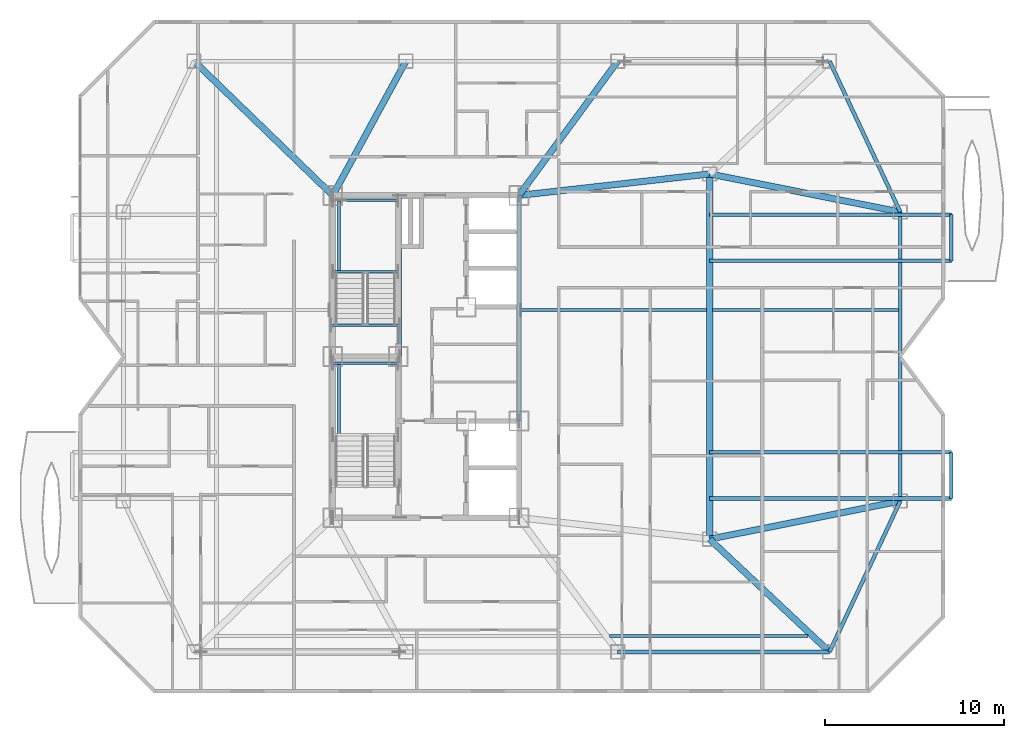
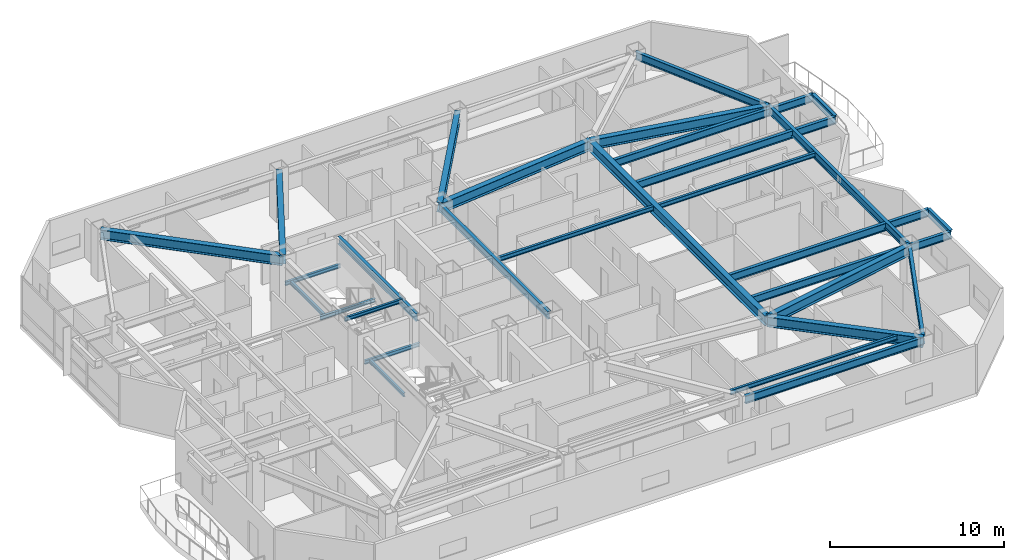
# One storey, part 5 of 20: 29 beams.
"""IFC4 building model written with IfcOpenShell, lengths in metres."""

from ifc_helpers import new_model, si_unit, direction, frame, origin, origin_2d, place, context, subcontext, project, spatial, i_section, extrude, material, material_profile, profile_set, type_object, element, save


model = new_model("IFC4")

# Units and contexts
model_context = context("Model", 3, precision=1e-05, world=origin(), true_north=direction((0.0, 1.0)))
body_context = subcontext(model_context, "Body", "Model", "MODEL_VIEW")
ifc_project = project(units=[si_unit("LENGTHUNIT", "METRE"), si_unit("AREAUNIT", "SQUARE_METRE"), si_unit("VOLUMEUNIT", "CUBIC_METRE"), si_unit("PLANEANGLEUNIT", "RADIAN"), si_unit("MASSUNIT", "GRAM", prefix="KILO")], contexts=[model_context])

# Site, building, storey
site_placement = place(None, origin())
site = spatial("IfcSite", under=ifc_project, at=site_placement, CompositionType="ELEMENT")
building_placement = place(site_placement, origin())
building = spatial("IfcBuilding", under=site, at=building_placement, Name="Khamvora Tower", CompositionType="ELEMENT")
storey_placement = place(building_placement, frame((0.0, 0.0, 203.35009765625)))
storey = spatial("IfcBuildingStorey", under=building, at=storey_placement, Name="L52", CompositionType="ELEMENT", Elevation=203.35009765625)

# Beams
ifc_material = material(Name="Steel S355", Category="steel")
ifc_material_profile_1 = material_profile(ifc_material, i_section(OverallWidth=0.166015625, OverallDepth=0.31298828125, WebThickness=0.007080078125, FlangeThickness=0.010986328125, FilletRadius=0.010009765625, at=origin_2d()), Name="W310x45")
ifc_profile_set_1 = profile_set([ifc_material_profile_1], Name="Steel S355")
beam_type_1 = type_object("IfcBeamType", Name="BM-JS-W310x45", PredefinedType="JOIST", material=ifc_profile_set_1)
beam_1_placement = place(storey_placement, frame((44.469970703125, 12.39990234375, 3.2138671875), z_axis=(1.0, 0.0, 0.0), x_axis=(0.0, 1.0, 0.0)))
element("IfcBeam", 1, at=beam_1_placement, inside=storey, type_object=beam_type_1, Name="L52 secondary floor joist 03", PredefinedType="JOIST", context=body_context, shape_type="SweptSolid", body=[
    extrude(i_section(OverallWidth=0.166015625, OverallDepth=0.31298828125, WebThickness=0.007080078125, FlangeThickness=0.010986328125, FilletRadius=0.010009765625, at=origin_2d()), origin(), (0.0, 0.0, 1.0), 11.069091796875),
])
beam_2_placement = place(storey_placement, frame((39.4990234375, 30.60009765625, 3.2138671875), z_axis=(1.0, 0.0, 0.0), x_axis=(0.0, 1.0, 0.0)))
element("IfcBeam", 2, at=beam_2_placement, inside=storey, type_object=beam_type_1, Name="L52 secondary floor joist 06", PredefinedType="JOIST", context=body_context, shape_type="SweptSolid", body=[
    extrude(i_section(OverallWidth=0.166015625, OverallDepth=0.31298828125, WebThickness=0.007080078125, FlangeThickness=0.010986328125, FilletRadius=0.010009765625, at=origin_2d()), origin(), (0.0, 0.0, 1.0), 10.3779296875),
])
beam_3_placement = place(storey_placement, frame((50.221923828125, 30.60009765625, 3.2138671875), z_axis=(1.0, 0.0, 0.0), x_axis=(0.0, 1.0, 0.0)))
element("IfcBeam", 3, at=beam_3_placement, inside=storey, type_object=beam_type_1, Name="L52 secondary floor joist 07", PredefinedType="JOIST", context=body_context, shape_type="SweptSolid", body=[
    extrude(i_section(OverallWidth=0.166015625, OverallDepth=0.31298828125, WebThickness=0.007080078125, FlangeThickness=0.010986328125, FilletRadius=0.010009765625, at=origin_2d()), origin(), (0.0, 0.0, 1.0), 10.377197265625),
])
ifc_material_profile_2 = material_profile(ifc_material, i_section(OverallWidth=0.14697265625, OverallDepth=0.261962890625, WebThickness=0.007080078125, FlangeThickness=0.010986328125, FilletRadius=0.008056640625, at=origin_2d()), Name="W250x39")
ifc_profile_set_2 = profile_set([ifc_material_profile_2], Name="Steel S355")
beam_type_2 = type_object("IfcBeamType", Name="BM-LN-W250x39", PredefinedType="LINTEL", material=ifc_profile_set_2)
beam_4_placement = place(storey_placement, frame((29.0, 27.6298828125, 1.493896484375), z_axis=(1.0, 0.0, 0.0), x_axis=(0.0, 1.0, 0.0)))
element("IfcBeam", 4, at=beam_4_placement, inside=storey, type_object=beam_type_2, Name="L52 ST-01 half-landing support beam 1.2", PredefinedType="LINTEL", context=body_context, shape_type="SweptSolid", body=[
    extrude(i_section(OverallWidth=0.14697265625, OverallDepth=0.261962890625, WebThickness=0.007080078125, FlangeThickness=0.010986328125, FilletRadius=0.008056640625, at=origin_2d()), origin(), (0.0, 0.0, 1.0), 3.64990234375),
])
beam_5_placement = place(storey_placement, frame((29.35009765625, 23.635009765625, 1.493896484375), z_axis=(0.0, 1.0, 0.0), x_axis=(-1.0, 0.0, 0.0)))
element("IfcBeam", 5, at=beam_5_placement, inside=storey, type_object=beam_type_2, Name="L52 ST-01 half-landing edge stringer 1", PredefinedType="LINTEL", context=body_context, shape_type="SweptSolid", body=[
    extrude(i_section(OverallWidth=0.14697265625, OverallDepth=0.261962890625, WebThickness=0.007080078125, FlangeThickness=0.010986328125, FilletRadius=0.008056640625, at=origin_2d()), origin(), (0.0, 0.0, 1.0), 3.994873046875),
])
for number, where, z_axis, x_axis, name in (
    (6, (29.0, 32.735107421875, 1.493896484375), (1.0, 0.0, 0.0), (0.0, 1.0, 0.0), "L52 ST-02 half-landing support beam 1.1"),
    (7, (29.0, 36.72998046875, 1.493896484375), (1.0, 0.0, 0.0), (0.0, 1.0, 0.0), "L52 ST-02 half-landing support beam 1.2"),
):
    element("IfcBeam", number, at=place(storey_placement, frame(where, z_axis=z_axis, x_axis=x_axis)), inside=storey, type_object=beam_type_2, Name=name, PredefinedType="LINTEL", context=body_context, shape_type="SweptSolid", body=[
        extrude(i_section(OverallWidth=0.14697265625, OverallDepth=0.261962890625, WebThickness=0.007080078125, FlangeThickness=0.010986328125, FilletRadius=0.008056640625, at=origin_2d()), origin(), (0.0, 0.0, 1.0), 3.64990234375),
    ])
beam_6_placement = place(storey_placement, frame((29.35009765625, 32.735107421875, 1.493896484375), z_axis=(0.0, 1.0, 0.0), x_axis=(-1.0, 0.0, 0.0)))
element("IfcBeam", 8, at=beam_6_placement, inside=storey, type_object=beam_type_2, Name="L52 ST-02 half-landing edge stringer 1", PredefinedType="LINTEL", context=body_context, shape_type="SweptSolid", body=[
    extrude(i_section(OverallWidth=0.14697265625, OverallDepth=0.261962890625, WebThickness=0.007080078125, FlangeThickness=0.010986328125, FilletRadius=0.008056640625, at=origin_2d()), origin(), (0.0, 0.0, 1.0), 3.994873046875),
])
beam_7_placement = place(storey_placement, frame((28.89990234375, 29.75, 3.243896484375), z_axis=(1.0, 0.0, 0.0), x_axis=(0.0, 1.0, 0.0)))
element("IfcBeam", 9, at=beam_7_placement, inside=storey, type_object=beam_type_2, Name="L52 exit stair ST-02 landing trimmer beam", PredefinedType="LINTEL", context=body_context, shape_type="SweptSolid", body=[
    extrude(i_section(OverallWidth=0.14697265625, OverallDepth=0.261962890625, WebThickness=0.007080078125, FlangeThickness=0.010986328125, FilletRadius=0.008056640625, at=origin_2d()), origin(), (0.0, 0.0, 1.0), 3.830078125),
])
ifc_material_profile_3 = material_profile(ifc_material, i_section(OverallWidth=0.35498046875, OverallDepth=0.695068359375, WebThickness=0.014892578125, FlangeThickness=0.02490234375, FilletRadius=0.01611328125, at=origin_2d()), Name="W690x217")
ifc_profile_set_3 = profile_set([ifc_material_profile_3], Name="Steel S355")
beam_type_3 = type_object("IfcBeamType", Name="BM-PG-W690x217", PredefinedType="BEAM", material=ifc_profile_set_3)
beam_8_placement = place(storey_placement, frame((50.050048828125, 17.800048828125, 3.02294921875), z_axis=(0.0, 1.0, 0.0), x_axis=(-1.0, 0.0, 0.0)))
element("IfcBeam", 10, at=beam_8_placement, inside=storey, type_object=beam_type_3, Name="L52 longitudinal frame girder M1-M2", PredefinedType="BEAM", context=body_context, shape_type="SweptSolid", body=[
    extrude(i_section(OverallWidth=0.35498046875, OverallDepth=0.695068359375, WebThickness=0.014892578125, FlangeThickness=0.02490234375, FilletRadius=0.01611328125, at=origin_2d()), origin(), (0.0, 0.0, 1.0), 20.39990234375),
])
beam_9_placement = place(storey_placement, frame((50.050048828125, 17.800048828125, 3.02294921875), z_axis=(0.728513992294, -0.685030921224, 0.0), x_axis=(0.685030921224, 0.728513992294, 0.0)))
element("IfcBeam", 11, at=beam_9_placement, inside=storey, type_object=beam_type_3, Name="L52 primary floor girder S4", PredefinedType="BEAM", context=body_context, shape_type="SweptSolid", body=[
    extrude(i_section(OverallWidth=0.35498046875, OverallDepth=0.695068359375, WebThickness=0.014892578125, FlangeThickness=0.02490234375, FilletRadius=0.01611328125, at=origin_2d()), origin(), (0.0, 0.0, 1.0), 9.19677734375),
])
beam_10_placement = place(storey_placement, frame((29.0, 37.0, 3.02294921875), z_axis=(-0.718602141767, 0.695421427516, 0.0), x_axis=(-0.695421427516, -0.718602141767, 0.0)))
element("IfcBeam", 12, at=beam_10_placement, inside=storey, type_object=beam_type_3, Name="L52 primary floor girder N1", PredefinedType="BEAM", context=body_context, shape_type="SweptSolid", body=[
    extrude(i_section(OverallWidth=0.35498046875, OverallDepth=0.695068359375, WebThickness=0.014892578125, FlangeThickness=0.02490234375, FilletRadius=0.01611328125, at=origin_2d()), origin(), (0.0, 0.0, 1.0), 10.784912109375),
])
beam_11_placement = place(storey_placement, frame((29.0, 37.0, 3.02294921875), z_axis=(0.478138862063, 0.878284252725, 0.0), x_axis=(-0.878284252725, 0.478138862063, 0.0)))
element("IfcBeam", 13, at=beam_11_placement, inside=storey, type_object=beam_type_3, Name="L52 primary floor girder N2", PredefinedType="BEAM", context=body_context, shape_type="SweptSolid", body=[
    extrude(i_section(OverallWidth=0.35498046875, OverallDepth=0.695068359375, WebThickness=0.014892578125, FlangeThickness=0.02490234375, FilletRadius=0.01611328125, at=origin_2d()), origin(), (0.0, 0.0, 1.0), 8.539306640625),
])
beam_12_placement = place(storey_placement, frame((39.39990234375, 37.0, 3.02294921875), z_axis=(0.592556630955, 0.805528794713, 0.0), x_axis=(-0.805528794713, 0.592556630955, 0.0)))
element("IfcBeam", 14, at=beam_12_placement, inside=storey, type_object=beam_type_3, Name="L52 primary floor girder N3", PredefinedType="BEAM", context=body_context, shape_type="SweptSolid", body=[
    extrude(i_section(OverallWidth=0.35498046875, OverallDepth=0.695068359375, WebThickness=0.014892578125, FlangeThickness=0.02490234375, FilletRadius=0.01611328125, at=origin_2d()), origin(), (0.0, 0.0, 1.0), 9.310546875),
])
for number, where, z_axis, x_axis, name in (
    (15, (50.050048828125, 17.800048828125, 3.02294921875), (0.980668771461, 0.195675140681, 0.0), (-0.195675140681, 0.980668771461, 0.0), "L52 primary floor girder E1"),
    (16, (50.050048828125, 38.199951171875, 3.02294921875), (0.980668771461, -0.195675140681, 0.0), (0.195675140681, 0.980668771461, 0.0), "L52 primary floor girder E2"),
):
    element("IfcBeam", number, at=place(storey_placement, frame(where, z_axis=z_axis, x_axis=x_axis)), inside=storey, type_object=beam_type_3, Name=name, PredefinedType="BEAM", context=body_context, shape_type="SweptSolid", body=[
        extrude(i_section(OverallWidth=0.35498046875, OverallDepth=0.695068359375, WebThickness=0.014892578125, FlangeThickness=0.02490234375, FilletRadius=0.01611328125, at=origin_2d()), origin(), (0.0, 0.0, 1.0), 10.85986328125),
    ])
beam_13_placement = place(storey_placement, frame((39.39990234375, 37.0, 3.02294921875), z_axis=(0.993712543569, 0.111961514606, 0.0), x_axis=(-0.111961514606, 0.993712543569, 0.0)))
element("IfcBeam", 17, at=beam_13_placement, inside=storey, type_object=beam_type_3, Name="L52 primary floor girder M2", PredefinedType="BEAM", context=body_context, shape_type="SweptSolid", body=[
    extrude(i_section(OverallWidth=0.35498046875, OverallDepth=0.695068359375, WebThickness=0.014892578125, FlangeThickness=0.02490234375, FilletRadius=0.01611328125, at=origin_2d()), origin(), (0.0, 0.0, 1.0), 10.717529296875),
])
ifc_material_profile_4 = material_profile(ifc_material, i_section(OverallWidth=0.2119140625, OverallDepth=0.5439453125, WebThickness=0.012939453125, FlangeThickness=0.02099609375, FilletRadius=0.013916015625, at=origin_2d()), Name="W530x123")
ifc_profile_set_4 = profile_set([ifc_material_profile_4], Name="Steel S355")
beam_type_4 = type_object("IfcBeamType", Name="BM-SP-W530x123", PredefinedType="SPANDREL", material=ifc_profile_set_4)
beam_14_placement = place(storey_placement, frame((44.9169921875, 11.5, 3.097900390625), z_axis=(1.0, 0.0, 0.0), x_axis=(0.0, 1.0, 0.0)))
element("IfcBeam", 18, at=beam_14_placement, inside=storey, type_object=beam_type_4, Name="L52 perimeter spandrel beam S3-S4", PredefinedType="SPANDREL", context=body_context, shape_type="SweptSolid", body=[
    extrude(i_section(OverallWidth=0.2119140625, OverallDepth=0.5439453125, WebThickness=0.012939453125, FlangeThickness=0.02099609375, FilletRadius=0.013916015625, at=origin_2d()), origin(), (0.0, 0.0, 1.0), 11.8330078125),
])
beam_15_placement = place(storey_placement, frame((56.75, 11.5, 3.097900390625), z_axis=(0.424496391454, 0.905429629315, 0.0), x_axis=(-0.905429629315, 0.424496391454, 0.0)))
element("IfcBeam", 19, at=beam_15_placement, inside=storey, type_object=beam_type_4, Name="L52 perimeter spandrel beam S4-E1", PredefinedType="SPANDREL", context=body_context, shape_type="SweptSolid", body=[
    extrude(i_section(OverallWidth=0.2119140625, OverallDepth=0.5439453125, WebThickness=0.012939453125, FlangeThickness=0.02099609375, FilletRadius=0.013916015625, at=origin_2d()), origin(), (0.0, 0.0, 1.0), 9.304931640625),
])
beam_16_placement = place(storey_placement, frame((60.699951171875, 19.925048828125, 3.097900390625), z_axis=(0.0, 1.0, 0.0), x_axis=(-1.0, 0.0, 0.0)))
element("IfcBeam", 20, at=beam_16_placement, inside=storey, type_object=beam_type_4, Name="L52 perimeter spandrel beam E1-E2", PredefinedType="SPANDREL", context=body_context, shape_type="SweptSolid", body=[
    extrude(i_section(OverallWidth=0.2119140625, OverallDepth=0.5439453125, WebThickness=0.012939453125, FlangeThickness=0.02099609375, FilletRadius=0.013916015625, at=origin_2d()), origin(), (0.0, 0.0, 1.0), 16.14990234375),
])
beam_17_placement = place(storey_placement, frame((60.699951171875, 36.074951171875, 3.097900390625), z_axis=(-0.424496391454, 0.905429629315, 0.0), x_axis=(-0.905429629315, -0.424496391454, 0.0)))
element("IfcBeam", 21, at=beam_17_placement, inside=storey, type_object=beam_type_4, Name="L52 perimeter spandrel beam E2-N4", PredefinedType="SPANDREL", context=body_context, shape_type="SweptSolid", body=[
    extrude(i_section(OverallWidth=0.2119140625, OverallDepth=0.5439453125, WebThickness=0.012939453125, FlangeThickness=0.02099609375, FilletRadius=0.013916015625, at=origin_2d()), origin(), (0.0, 0.0, 1.0), 9.304931640625),
])
ifc_material_profile_5 = material_profile(ifc_material, i_section(OverallWidth=0.208984375, OverallDepth=0.532958984375, WebThickness=0.010009765625, FlangeThickness=0.01611328125, FilletRadius=0.013916015625, at=origin_2d()), Name="W530x92")
ifc_profile_set_5 = profile_set([ifc_material_profile_5], Name="Steel S355")
beam_type_5 = type_object("IfcBeamType", Name="BM-SP-W530x92", PredefinedType="SPANDREL", material=ifc_profile_set_5)
beam_18_placement = place(storey_placement, frame((32.72998046875, 28.0, 3.102783203125), z_axis=(0.0, 1.0, 0.0), x_axis=(-1.0, 0.0, 0.0)))
element("IfcBeam", 22, at=beam_18_placement, inside=storey, type_object=beam_type_5, Name="L52 core spine girder M1N", PredefinedType="SPANDREL", context=body_context, shape_type="SweptSolid", body=[
    extrude(i_section(OverallWidth=0.208984375, OverallDepth=0.532958984375, WebThickness=0.010009765625, FlangeThickness=0.01611328125, FilletRadius=0.013916015625, at=origin_2d()), origin(), (0.0, 0.0, 1.0), 9.0),
])
beam_19_placement = place(storey_placement, frame((39.39990234375, 24.39990234375, 3.102783203125), z_axis=(0.0, 1.0, 0.0), x_axis=(-1.0, 0.0, 0.0)))
element("IfcBeam", 23, at=beam_19_placement, inside=storey, type_object=beam_type_5, Name="L52 core spine girder EN", PredefinedType="SPANDREL", context=body_context, shape_type="SweptSolid", body=[
    extrude(i_section(OverallWidth=0.208984375, OverallDepth=0.532958984375, WebThickness=0.010009765625, FlangeThickness=0.01611328125, FilletRadius=0.013916015625, at=origin_2d()), origin(), (0.0, 0.0, 1.0), 12.60009765625),
])
for number, where, z_axis, x_axis, name in (
    (24, (50.050048828125, 20.074951171875, 2.9638671875), (1.0, 0.0, 0.0), (0.0, 1.0, 0.0), "L52 continuous gallery cantilever girder L53-EL1-1"),
    (25, (50.050048828125, 22.64990234375, 2.9638671875), (1.0, 0.0, 0.0), (0.0, 1.0, 0.0), "L52 continuous gallery cantilever girder L53-EL1-2"),
):
    element("IfcBeam", number, at=place(storey_placement, frame(where, z_axis=z_axis, x_axis=x_axis)), inside=storey, type_object=beam_type_5, Name=name, PredefinedType="SPANDREL", context=body_context, shape_type="SweptSolid", body=[
        extrude(i_section(OverallWidth=0.208984375, OverallDepth=0.532958984375, WebThickness=0.010009765625, FlangeThickness=0.01611328125, FilletRadius=0.013916015625, at=origin_2d()), origin(), (0.0, 0.0, 1.0), 13.5),
    ])
beam_20_placement = place(storey_placement, frame((63.550048828125, 20.074951171875, 2.9638671875), z_axis=(0.0, 1.0, 0.0), x_axis=(-1.0, 0.0, 0.0)))
element("IfcBeam", 26, at=beam_20_placement, inside=storey, type_object=beam_type_5, Name="L52 external gallery edge header beam L53-EL1", PredefinedType="SPANDREL", context=body_context, shape_type="SweptSolid", body=[
    extrude(i_section(OverallWidth=0.208984375, OverallDepth=0.532958984375, WebThickness=0.010009765625, FlangeThickness=0.01611328125, FilletRadius=0.013916015625, at=origin_2d()), origin(), (0.0, 0.0, 1.0), 2.574951171875),
])
for number, where, z_axis, x_axis, name in (
    (27, (50.050048828125, 33.35009765625, 2.9638671875), (1.0, 0.0, 0.0), (0.0, 1.0, 0.0), "L52 continuous gallery cantilever girder L53-EL2-1"),
    (28, (50.050048828125, 35.925048828125, 2.9638671875), (1.0, 0.0, 0.0), (0.0, 1.0, 0.0), "L52 continuous gallery cantilever girder L53-EL2-2"),
):
    element("IfcBeam", number, at=place(storey_placement, frame(where, z_axis=z_axis, x_axis=x_axis)), inside=storey, type_object=beam_type_5, Name=name, PredefinedType="SPANDREL", context=body_context, shape_type="SweptSolid", body=[
        extrude(i_section(OverallWidth=0.208984375, OverallDepth=0.532958984375, WebThickness=0.010009765625, FlangeThickness=0.01611328125, FilletRadius=0.013916015625, at=origin_2d()), origin(), (0.0, 0.0, 1.0), 13.5),
    ])
beam_21_placement = place(storey_placement, frame((63.550048828125, 33.35009765625, 2.9638671875), z_axis=(0.0, 1.0, 0.0), x_axis=(-1.0, 0.0, 0.0)))
element("IfcBeam", 29, at=beam_21_placement, inside=storey, type_object=beam_type_5, Name="L52 external gallery edge header beam L53-EL2", PredefinedType="SPANDREL", context=body_context, shape_type="SweptSolid", body=[
    extrude(i_section(OverallWidth=0.208984375, OverallDepth=0.532958984375, WebThickness=0.010009765625, FlangeThickness=0.01611328125, FilletRadius=0.013916015625, at=origin_2d()), origin(), (0.0, 0.0, 1.0), 2.574951171875),
])

save(model, "model.ifc")
